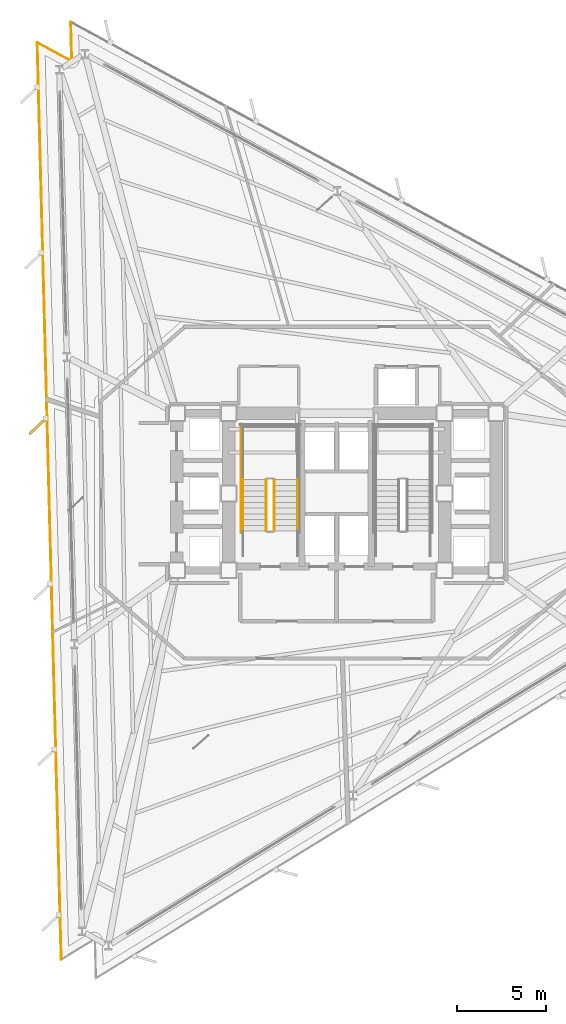
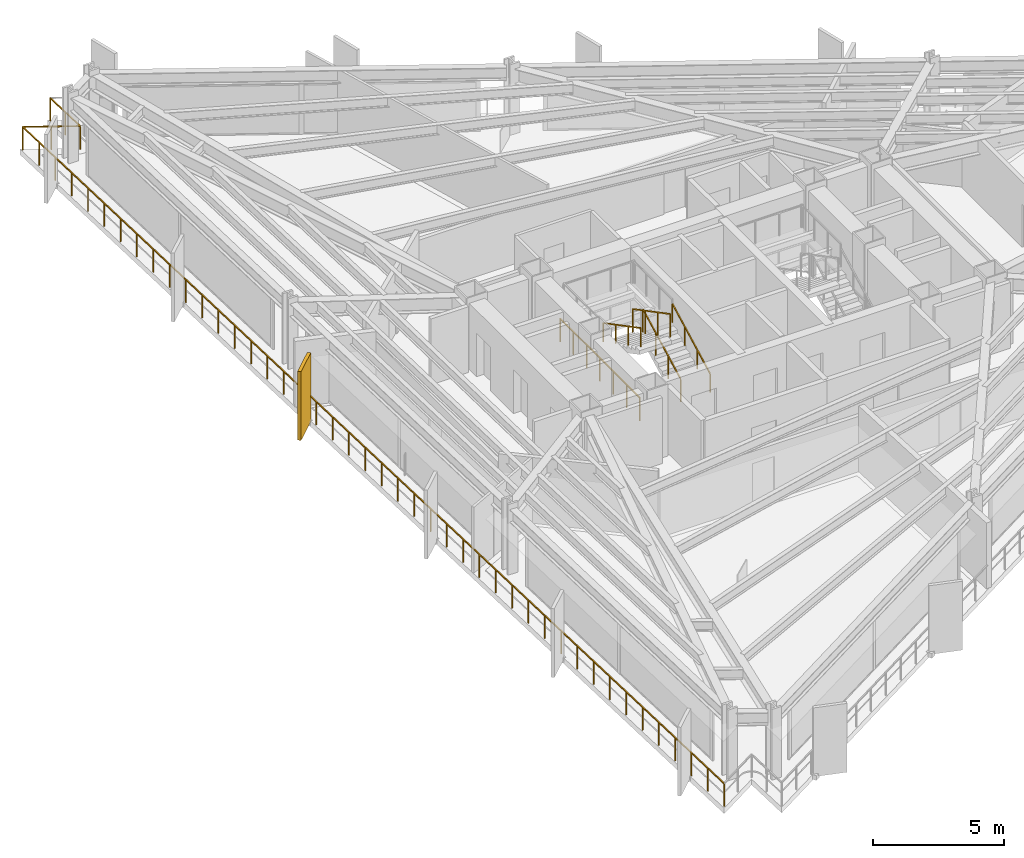
# One storey, part 12 of 14: 6 railings, 1 shading device.
"""IFC4 building model written with IfcOpenShell, lengths in metres."""

from ifc_helpers import new_model, si_unit, direction, frame, origin, origin_2d, place, context, subcontext, project, spatial, rectangle, extrude, material, layer, layer_set, type_object, element, save


model = new_model("IFC4")

# Units and contexts
model_context = context("Model", 3, precision=1e-05, world=origin(), true_north=direction((0.0, 1.0)))
body_context = subcontext(model_context, "Body", "Model", "MODEL_VIEW")
ifc_project = project(units=[si_unit("LENGTHUNIT", "METRE"), si_unit("AREAUNIT", "SQUARE_METRE"), si_unit("VOLUMEUNIT", "CUBIC_METRE"), si_unit("PLANEANGLEUNIT", "RADIAN"), si_unit("MASSUNIT", "GRAM", prefix="KILO")], contexts=[model_context])

# Site, building, storey
site_placement = place(None, origin())
site = spatial("IfcSite", under=ifc_project, at=site_placement, CompositionType="ELEMENT")
building_placement = place(site_placement, origin())
building = spatial("IfcBuilding", under=site, at=building_placement, Name="Rocaltana Carrier Exchange", CompositionType="ELEMENT")
storey_placement = place(building_placement, frame((0.0, 0.0, 25.60009765625)))
storey = spatial("IfcBuildingStorey", under=building, at=storey_placement, Name="L08", CompositionType="ELEMENT", Elevation=25.60009765625)

# Railings
ifc_material_1 = material(Name="Brushed Architectural Stainless Tube", Category="steel")
ifc_layer_1 = layer(ifc_material_1, 0.048095703125)
ifc_layer_set_1 = layer_set([ifc_layer_1], Name="Brushed Architectural Stainless Tube")
railing_type_1 = type_object("IfcRailingType", Name="Stair Wall Handrail 920", PredefinedType="HANDRAIL", material=ifc_layer_set_1)
railing_1_placement = place(storey_placement, frame((-2.18994140625, -2.10009765625, 0.16796875)))
element("IfcRailing", 1, at=railing_1_placement, inside=storey, type_object=railing_type_1, Name="L08 ST-1 stair handrail 1", PredefinedType="HANDRAIL", context=body_context, shape_type="SweptSolid", body=[
    extrude(rectangle(XDim=0.048095703125, YDim=0.048095703125, at=origin_2d()), frame((0.0, 0.0, 0.8759765625), z_axis=(0.0, 0.885411030485, 0.464808893091), x_axis=(-1.0, 0.0, 0.0)), (0.0, 0.0, 1.0), 3.2529296875),
    extrude(rectangle(XDim=0.0419921875, YDim=0.0419921875, at=origin_2d()), origin(), (0.0, 0.0, 1.0), 0.851806640625),
    extrude(rectangle(XDim=0.0419921875, YDim=0.0419921875, at=origin_2d()), frame((0.0, 0.9599609375, 0.50390625)), (0.0, 0.0, 1.0), 0.851806640625),
    extrude(rectangle(XDim=0.0419921875, YDim=0.0419921875, at=origin_2d()), frame((0.0, 1.920166015625, 1.008056640625)), (0.0, 0.0, 1.0), 0.851806640625),
    extrude(rectangle(XDim=0.0419921875, YDim=0.0419921875, at=origin_2d()), frame((0.0, 2.880126953125, 1.511962890625)), (0.0, 0.0, 1.0), 0.851806640625),
])
railing_2_placement = place(storey_placement, frame((-5.25, 0.780029296875, 1.847900390625)))
element("IfcRailing", 2, at=railing_2_placement, inside=storey, type_object=railing_type_1, Name="L08 ST-1 stair handrail 2", PredefinedType="HANDRAIL", context=body_context, shape_type="SweptSolid", body=[
    extrude(rectangle(XDim=0.048095703125, YDim=0.048095703125, at=origin_2d()), frame((0.0, 0.0, 0.8759765625), z_axis=(0.0, -0.885411030485, 0.464808893091), x_axis=(1.0, 0.0, 0.0)), (0.0, 0.0, 1.0), 3.2529296875),
    extrude(rectangle(XDim=0.0419921875, YDim=0.0419921875, at=origin_2d()), origin(), (0.0, 0.0, 1.0), 0.851806640625),
    extrude(rectangle(XDim=0.0419921875, YDim=0.0419921875, at=origin_2d()), frame((0.0, -0.9599609375, 0.50390625)), (0.0, 0.0, 1.0), 0.851806640625),
    extrude(rectangle(XDim=0.0419921875, YDim=0.0419921875, at=origin_2d()), frame((0.0, -1.920166015625, 1.008056640625)), (0.0, 0.0, 1.0), 0.851806640625),
    extrude(rectangle(XDim=0.0419921875, YDim=0.0419921875, at=origin_2d()), frame((0.0, -2.880126953125, 1.511962890625)), (0.0, 0.0, 1.0), 0.851806640625),
])
ifc_material_2 = material(Name="Powder-Coated Aluminium 6063-T6", Category="aluminium")
ifc_layer_2 = layer(ifc_material_2, 0.048095703125)
ifc_layer_set_2 = layer_set([ifc_layer_2], Name="Powder-Coated Aluminium 6063-T6")
railing_type_2 = type_object("IfcRailingType", Name="Stair Well Guardrail 1100", PredefinedType="GUARDRAIL", material=ifc_layer_set_2)
railing_3_placement = place(storey_placement, frame((-3.489990234375, -2.10009765625, 0.16796875)))
element("IfcRailing", 3, at=railing_3_placement, inside=storey, type_object=railing_type_2, Name="L08 ST-1 stair guard 1", PredefinedType="GUARDRAIL", context=body_context, shape_type="SweptSolid", body=[
    extrude(rectangle(XDim=0.048095703125, YDim=0.048095703125, at=origin_2d()), frame((0.0, 0.0, 1.076171875), z_axis=(0.0, 0.885411030485, 0.464808893091), x_axis=(-1.0, 0.0, 0.0)), (0.0, 0.0, 1.0), 3.2529296875),
    extrude(rectangle(XDim=0.0419921875, YDim=0.0419921875, at=origin_2d()), origin(), (0.0, 0.0, 1.0), 1.052001953125),
    extrude(rectangle(XDim=0.0419921875, YDim=0.0419921875, at=origin_2d()), frame((0.0, 0.9599609375, 0.50390625)), (0.0, 0.0, 1.0), 1.052001953125),
    extrude(rectangle(XDim=0.0419921875, YDim=0.0419921875, at=origin_2d()), frame((0.0, 1.920166015625, 1.008056640625)), (0.0, 0.0, 1.0), 1.052001953125),
    extrude(rectangle(XDim=0.0419921875, YDim=0.0419921875, at=origin_2d()), frame((0.0, 2.880126953125, 1.511962890625)), (0.0, 0.0, 1.0), 1.052001953125),
])
railing_4_placement = place(storey_placement, frame((-3.949951171875, 0.780029296875, 1.847900390625)))
element("IfcRailing", 4, at=railing_4_placement, inside=storey, type_object=railing_type_2, Name="L08 ST-1 stair guard 6", PredefinedType="GUARDRAIL", context=body_context, shape_type="SweptSolid", body=[
    extrude(rectangle(XDim=0.048095703125, YDim=0.048095703125, at=origin_2d()), frame((0.0, 0.0, 1.076171875), z_axis=(0.0, -0.885411030485, 0.464808893091), x_axis=(1.0, 0.0, 0.0)), (0.0, 0.0, 1.0), 3.2529296875),
    extrude(rectangle(XDim=0.0419921875, YDim=0.0419921875, at=origin_2d()), origin(), (0.0, 0.0, 1.0), 1.052001953125),
    extrude(rectangle(XDim=0.0419921875, YDim=0.0419921875, at=origin_2d()), frame((0.0, -0.9599609375, 0.50390625)), (0.0, 0.0, 1.0), 1.052001953125),
    extrude(rectangle(XDim=0.0419921875, YDim=0.0419921875, at=origin_2d()), frame((0.0, -1.920166015625, 1.008056640625)), (0.0, 0.0, 1.0), 1.052001953125),
    extrude(rectangle(XDim=0.0419921875, YDim=0.0419921875, at=origin_2d()), frame((0.0, -2.880126953125, 1.511962890625)), (0.0, 0.0, 1.0), 1.052001953125),
])
railing_5_placement = place(storey_placement, frame((-5.35009765625, -2.199951171875, 0.0)))
element("IfcRailing", 5, at=railing_5_placement, inside=storey, type_object=railing_type_2, Name="L08 ST-1 stair guard 11", PredefinedType="GUARDRAIL", context=body_context, shape_type="SweptSolid", body=[
    extrude(rectangle(XDim=0.048095703125, YDim=0.048095703125, at=origin_2d()), frame((0.0, 0.0, 1.076171875), z_axis=(0.0, 1.0, 0.0), x_axis=(-1.0, 0.0, 0.0)), (0.0, 0.0, 1.0), 6.099853515625),
    extrude(rectangle(XDim=0.0419921875, YDim=0.0419921875, at=origin_2d()), origin(), (0.0, 0.0, 1.0), 1.052001953125),
    extrude(rectangle(XDim=0.0419921875, YDim=0.0419921875, at=origin_2d()), frame((0.0, 1.0166015625, 0.0)), (0.0, 0.0, 1.0), 1.052001953125),
    extrude(rectangle(XDim=0.0419921875, YDim=0.0419921875, at=origin_2d()), frame((0.0, 2.033203125, 0.0)), (0.0, 0.0, 1.0), 1.052001953125),
    extrude(rectangle(XDim=0.0419921875, YDim=0.0419921875, at=origin_2d()), frame((0.0, 3.0498046875, 0.0)), (0.0, 0.0, 1.0), 1.052001953125),
    extrude(rectangle(XDim=0.0419921875, YDim=0.0419921875, at=origin_2d()), frame((0.0, 4.066650390625, 0.0)), (0.0, 0.0, 1.0), 1.052001953125),
    extrude(rectangle(XDim=0.0419921875, YDim=0.0419921875, at=origin_2d()), frame((0.0, 5.083251953125, 0.0)), (0.0, 0.0, 1.0), 1.052001953125),
    extrude(rectangle(XDim=0.0419921875, YDim=0.0419921875, at=origin_2d()), frame((0.0, 6.099853515625, 0.0)), (0.0, 0.0, 1.0), 1.052001953125),
])

# Shading device
ifc_material_3 = material(Name="Honed Bogota Sandstone & Concrete C45/55", Category="masonry")
ifc_layer_3 = layer(ifc_material_3, 0.139892578125)
ifc_layer_set_3 = layer_set([ifc_layer_3], Name="Honed Bogota Sandstone & Concrete C45/55")
shading_device_type = type_object("IfcShadingDeviceType", Name="Vertical Sandstone Shading Fin 1320x140", PredefinedType="USERDEFINED", material=ifc_layer_set_3)
shading_device_placement = place(storey_placement, frame((-16.7314453125, 3.78857421875, -0.1201171875), z_axis=(0.0, 0.0, 1.0), x_axis=(-0.725374371012, -0.688354575694, 0.0)))
element("IfcShadingDevice", 6, at=shading_device_placement, inside=storey, type_object=shading_device_type, Name="L08 Sandstone Vertical Fin F2-03", ObjectType="FIN", PredefinedType="USERDEFINED", context=body_context, shape_type="SweptSolid", body=[
    extrude(rectangle(XDim=1.320068359375, YDim=0.139892578125, at=origin_2d()), origin(), (0.0, 0.0, 1.0), 3.218017578125),
])

# Railing
ifc_material_4 = material(Name="Powder-Coated Aluminium 6063-T6", Category="aluminium")
ifc_layer_4 = layer(ifc_material_4, 0.06005859375)
ifc_layer_set_4 = layer_set([ifc_layer_4], Name="Powder-Coated Aluminium 6063-T6")
railing_type_3 = type_object("IfcRailingType", Name="Wind-Floor & Terrace Perimeter Guardrail 1100", PredefinedType="GUARDRAIL", material=ifc_layer_set_4)
railing_6_placement = place(storey_placement, frame((-15.427490234375, -26.10888671875, 0.0)))
element("IfcRailing", 7, at=railing_6_placement, inside=storey, type_object=railing_type_3, Name="L08 Perimeter Balcony Guardrail 2", PredefinedType="GUARDRAIL", context=body_context, shape_type="SweptSolid", body=[
    extrude(rectangle(XDim=0.048095703125, YDim=0.048095703125, at=origin_2d()), frame((0.0, 0.0, 1.076171875), z_axis=(-0.02618025491, 0.999657238384, 0.0), x_axis=(-0.999657238384, -0.02618025491, 0.0)), (0.0, 0.0, 1.0), 51.39208984375),
    extrude(rectangle(XDim=0.048095703125, YDim=0.048095703125, at=origin_2d()), frame((-1.345458984375, 51.37451171875, 1.076171875), z_axis=(0.878801578058, -0.477187370331, 0.0), x_axis=(0.477187370331, 0.878801578058, 0.0)), (0.0, 0.0, 1.0), 2.199951171875),
    extrude(rectangle(XDim=0.048095703125, YDim=0.048095703125, at=origin_2d()), frame((0.587890625, 50.32470703125, 1.076171875), z_axis=(-0.026187042546, 0.999657060598, 0.0), x_axis=(-0.999657060598, -0.026187042546, 0.0)), (0.0, 0.0, 1.0), 2.2001953125),
    extrude(rectangle(XDim=0.0419921875, YDim=0.0419921875, at=origin_2d()), origin(), (0.0, 0.0, 1.0), 1.052001953125),
    extrude(rectangle(XDim=0.0419921875, YDim=0.0419921875, at=origin_2d()), frame((-0.03125, 1.19482421875, 0.0)), (0.0, 0.0, 1.0), 1.052001953125),
    extrude(rectangle(XDim=0.0419921875, YDim=0.0419921875, at=origin_2d()), frame((-0.0625, 2.389404296875, 0.0)), (0.0, 0.0, 1.0), 1.052001953125),
    extrude(rectangle(XDim=0.0419921875, YDim=0.0419921875, at=origin_2d()), frame((-0.09375, 3.584228515625, 0.0)), (0.0, 0.0, 1.0), 1.052001953125),
    extrude(rectangle(XDim=0.0419921875, YDim=0.0419921875, at=origin_2d()), frame((-0.125244140625, 4.779052734375, 0.0)), (0.0, 0.0, 1.0), 1.052001953125),
    extrude(rectangle(XDim=0.0419921875, YDim=0.0419921875, at=origin_2d()), frame((-0.156494140625, 5.973876953125, 0.0)), (0.0, 0.0, 1.0), 1.052001953125),
    extrude(rectangle(XDim=0.0419921875, YDim=0.0419921875, at=origin_2d()), frame((-0.187744140625, 7.16845703125, 0.0)), (0.0, 0.0, 1.0), 1.052001953125),
    extrude(rectangle(XDim=0.0419921875, YDim=0.0419921875, at=origin_2d()), frame((-0.218994140625, 8.36328125, 0.0)), (0.0, 0.0, 1.0), 1.052001953125),
    extrude(rectangle(XDim=0.0419921875, YDim=0.0419921875, at=origin_2d()), frame((-0.250244140625, 9.55810546875, 0.0)), (0.0, 0.0, 1.0), 1.052001953125),
    extrude(rectangle(XDim=0.0419921875, YDim=0.0419921875, at=origin_2d()), frame((-0.281494140625, 10.752685546875, 0.0)), (0.0, 0.0, 1.0), 1.052001953125),
    extrude(rectangle(XDim=0.0419921875, YDim=0.0419921875, at=origin_2d()), frame((-0.31298828125, 11.947509765625, 0.0)), (0.0, 0.0, 1.0), 1.052001953125),
    extrude(rectangle(XDim=0.0419921875, YDim=0.0419921875, at=origin_2d()), frame((-0.34423828125, 13.142333984375, 0.0)), (0.0, 0.0, 1.0), 1.052001953125),
    extrude(rectangle(XDim=0.0419921875, YDim=0.0419921875, at=origin_2d()), frame((-0.37548828125, 14.337158203125, 0.0)), (0.0, 0.0, 1.0), 1.052001953125),
    extrude(rectangle(XDim=0.0419921875, YDim=0.0419921875, at=origin_2d()), frame((-0.40673828125, 15.53173828125, 0.0)), (0.0, 0.0, 1.0), 1.052001953125),
    extrude(rectangle(XDim=0.0419921875, YDim=0.0419921875, at=origin_2d()), frame((-0.43798828125, 16.7265625, 0.0)), (0.0, 0.0, 1.0), 1.052001953125),
    extrude(rectangle(XDim=0.0419921875, YDim=0.0419921875, at=origin_2d()), frame((-0.46923828125, 17.92138671875, 0.0)), (0.0, 0.0, 1.0), 1.052001953125),
    extrude(rectangle(XDim=0.0419921875, YDim=0.0419921875, at=origin_2d()), frame((-0.500732421875, 19.1162109375, 0.0)), (0.0, 0.0, 1.0), 1.052001953125),
    extrude(rectangle(XDim=0.0419921875, YDim=0.0419921875, at=origin_2d()), frame((-0.531982421875, 20.310791015625, 0.0)), (0.0, 0.0, 1.0), 1.052001953125),
    extrude(rectangle(XDim=0.0419921875, YDim=0.0419921875, at=origin_2d()), frame((-0.563232421875, 21.505615234375, 0.0)), (0.0, 0.0, 1.0), 1.052001953125),
    extrude(rectangle(XDim=0.0419921875, YDim=0.0419921875, at=origin_2d()), frame((-0.594482421875, 22.700439453125, 0.0)), (0.0, 0.0, 1.0), 1.052001953125),
    extrude(rectangle(XDim=0.0419921875, YDim=0.0419921875, at=origin_2d()), frame((-0.625732421875, 23.89501953125, 0.0)), (0.0, 0.0, 1.0), 1.052001953125),
    extrude(rectangle(XDim=0.0419921875, YDim=0.0419921875, at=origin_2d()), frame((-0.656982421875, 25.08984375, 0.0)), (0.0, 0.0, 1.0), 1.052001953125),
    extrude(rectangle(XDim=0.0419921875, YDim=0.0419921875, at=origin_2d()), frame((-0.6884765625, 26.28466796875, 0.0)), (0.0, 0.0, 1.0), 1.052001953125),
    extrude(rectangle(XDim=0.0419921875, YDim=0.0419921875, at=origin_2d()), frame((-0.7197265625, 27.4794921875, 0.0)), (0.0, 0.0, 1.0), 1.052001953125),
    extrude(rectangle(XDim=0.0419921875, YDim=0.0419921875, at=origin_2d()), frame((-0.7509765625, 28.674072265625, 0.0)), (0.0, 0.0, 1.0), 1.052001953125),
    extrude(rectangle(XDim=0.0419921875, YDim=0.0419921875, at=origin_2d()), frame((-0.7822265625, 29.868896484375, 0.0)), (0.0, 0.0, 1.0), 1.052001953125),
    extrude(rectangle(XDim=0.0419921875, YDim=0.0419921875, at=origin_2d()), frame((-0.8134765625, 31.063720703125, 0.0)), (0.0, 0.0, 1.0), 1.052001953125),
    extrude(rectangle(XDim=0.0419921875, YDim=0.0419921875, at=origin_2d()), frame((-0.8447265625, 32.25830078125, 0.0)), (0.0, 0.0, 1.0), 1.052001953125),
    extrude(rectangle(XDim=0.0419921875, YDim=0.0419921875, at=origin_2d()), frame((-0.876220703125, 33.453125, 0.0)), (0.0, 0.0, 1.0), 1.052001953125),
    extrude(rectangle(XDim=0.0419921875, YDim=0.0419921875, at=origin_2d()), frame((-0.907470703125, 34.64794921875, 0.0)), (0.0, 0.0, 1.0), 1.052001953125),
    extrude(rectangle(XDim=0.0419921875, YDim=0.0419921875, at=origin_2d()), frame((-0.938720703125, 35.8427734375, 0.0)), (0.0, 0.0, 1.0), 1.052001953125),
    extrude(rectangle(XDim=0.0419921875, YDim=0.0419921875, at=origin_2d()), frame((-0.969970703125, 37.037353515625, 0.0)), (0.0, 0.0, 1.0), 1.052001953125),
    extrude(rectangle(XDim=0.0419921875, YDim=0.0419921875, at=origin_2d()), frame((-1.001220703125, 38.232177734375, 0.0)), (0.0, 0.0, 1.0), 1.052001953125),
    extrude(rectangle(XDim=0.0419921875, YDim=0.0419921875, at=origin_2d()), frame((-1.032470703125, 39.427001953125, 0.0)), (0.0, 0.0, 1.0), 1.052001953125),
    extrude(rectangle(XDim=0.0419921875, YDim=0.0419921875, at=origin_2d()), frame((-1.06396484375, 40.621826171875, 0.0)), (0.0, 0.0, 1.0), 1.052001953125),
    extrude(rectangle(XDim=0.0419921875, YDim=0.0419921875, at=origin_2d()), frame((-1.09521484375, 41.81640625, 0.0)), (0.0, 0.0, 1.0), 1.052001953125),
    extrude(rectangle(XDim=0.0419921875, YDim=0.0419921875, at=origin_2d()), frame((-1.12646484375, 43.01123046875, 0.0)), (0.0, 0.0, 1.0), 1.052001953125),
    extrude(rectangle(XDim=0.0419921875, YDim=0.0419921875, at=origin_2d()), frame((-1.15771484375, 44.2060546875, 0.0)), (0.0, 0.0, 1.0), 1.052001953125),
    extrude(rectangle(XDim=0.0419921875, YDim=0.0419921875, at=origin_2d()), frame((-1.18896484375, 45.400634765625, 0.0)), (0.0, 0.0, 1.0), 1.052001953125),
    extrude(rectangle(XDim=0.0419921875, YDim=0.0419921875, at=origin_2d()), frame((-1.22021484375, 46.595458984375, 0.0)), (0.0, 0.0, 1.0), 1.052001953125),
    extrude(rectangle(XDim=0.0419921875, YDim=0.0419921875, at=origin_2d()), frame((-1.251708984375, 47.790283203125, 0.0)), (0.0, 0.0, 1.0), 1.052001953125),
    extrude(rectangle(XDim=0.0419921875, YDim=0.0419921875, at=origin_2d()), frame((-1.282958984375, 48.985107421875, 0.0)), (0.0, 0.0, 1.0), 1.052001953125),
    extrude(rectangle(XDim=0.0419921875, YDim=0.0419921875, at=origin_2d()), frame((-1.314208984375, 50.1796875, 0.0)), (0.0, 0.0, 1.0), 1.052001953125),
    extrude(rectangle(XDim=0.0419921875, YDim=0.0419921875, at=origin_2d()), frame((-1.345458984375, 51.37451171875, 0.0)), (0.0, 0.0, 1.0), 1.052001953125),
    extrude(rectangle(XDim=0.0419921875, YDim=0.0419921875, at=origin_2d()), frame((-0.37890625, 50.849609375, 0.0)), (0.0, 0.0, 1.0), 1.052001953125),
    extrude(rectangle(XDim=0.0419921875, YDim=0.0419921875, at=origin_2d()), frame((0.587890625, 50.32470703125, 0.0)), (0.0, 0.0, 1.0), 1.052001953125),
    extrude(rectangle(XDim=0.0419921875, YDim=0.0419921875, at=origin_2d()), frame((0.55908203125, 51.42431640625, 0.0)), (0.0, 0.0, 1.0), 1.052001953125),
    extrude(rectangle(XDim=0.0419921875, YDim=0.0419921875, at=origin_2d()), frame((0.5302734375, 52.524169921875, 0.0)), (0.0, 0.0, 1.0), 1.052001953125),
])

save(model, "model.ifc")
